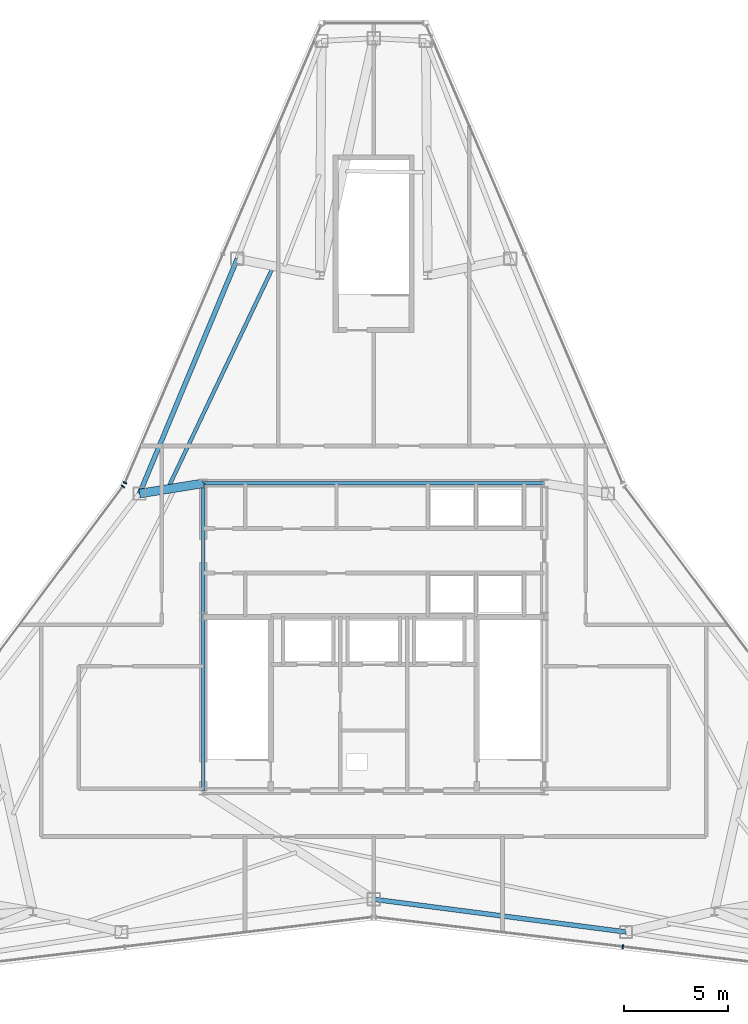
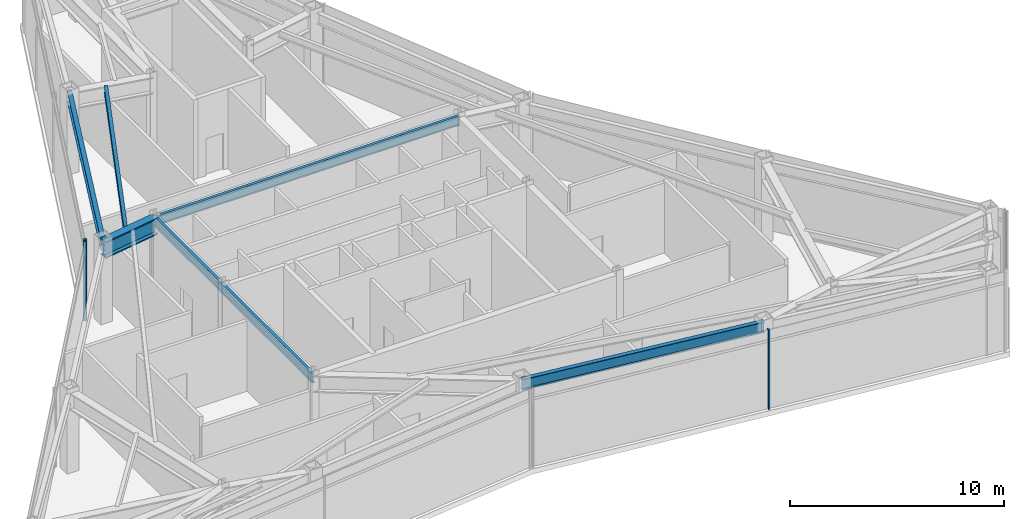
# One storey, part 5 of 11: 6 beams, 3 members, 3 elements without a shape of their own.
"""IFC4 building model written with IfcOpenShell, lengths in metres."""

from ifc_helpers import new_model, si_unit, direction, frame, origin, origin_2d, place, context, subcontext, project, spatial, rectangle, i_section, extrude, source, transform, mapped, material, layer, layer_set, material_profile, profile_set, type_object, type_shapes, element, aggregate, save


model = new_model("IFC4")

# Units and contexts
model_context = context("Model", 3, precision=1e-05, world=origin(), true_north=direction((0.0, 1.0)))
body_context = subcontext(model_context, "Body", "Model", "MODEL_VIEW")
ifc_project = project(units=[si_unit("LENGTHUNIT", "METRE"), si_unit("AREAUNIT", "SQUARE_METRE"), si_unit("VOLUMEUNIT", "CUBIC_METRE"), si_unit("PLANEANGLEUNIT", "RADIAN"), si_unit("MASSUNIT", "GRAM", prefix="KILO")], contexts=[model_context])

# Site, building, storey
site_placement = place(None, origin())
site = spatial("IfcSite", under=ifc_project, at=site_placement, CompositionType="ELEMENT")
building_placement = place(site_placement, origin())
building = spatial("IfcBuilding", under=site, at=building_placement, Name="Varakhsha Concourse Tower", CompositionType="ELEMENT")
storey_placement = place(building_placement, frame((0.0, 0.0, 290.0)))
storey = spatial("IfcBuildingStorey", under=building, at=storey_placement, Name="L82", CompositionType="ELEMENT", Elevation=290.0)

# Beams
ifc_material_1 = material(Name="Structural Steel ASTM A992 Grade 50", Category="steel")
ifc_material_profile_1 = material_profile(ifc_material_1, i_section(OverallWidth=0.177978515625, OverallDepth=0.406982421875, WebThickness=0.008056640625, FlangeThickness=0.012939453125, at=origin_2d()), Name="W16X40")
ifc_profile_set_1 = profile_set([ifc_material_profile_1], Name="Structural Steel ASTM A992 Grade 50")
beam_type_1 = type_object("IfcBeamType", Name="BM-JST-W16X40", PredefinedType="JOIST", material=ifc_profile_set_1)
beam_1_placement = place(storey_placement, frame((35.13232421875, 41.553466796875, 4.33642578125), z_axis=(-0.429292148755, -0.903165683038, 0.0), x_axis=(0.903165683038, -0.429292148755, 0.0)))
element("IfcBeam", 1, at=beam_1_placement, inside=storey, type_object=beam_type_1, Name="BM-TJST-L82-04", PredefinedType="JOIST", context=body_context, shape_type="SweptSolid", body=[
    extrude(i_section(OverallWidth=0.177978515625, OverallDepth=0.406982421875, WebThickness=0.008056640625, FlangeThickness=0.012939453125, at=origin_2d()), origin(), (0.0, 0.0, 1.0), 11.658935546875),
])
ifc_material_profile_2 = material_profile(ifc_material_1, i_section(OverallWidth=0.423095703125, OverallDepth=0.947998046875, WebThickness=0.0380859375, FlangeThickness=0.06396484375, at=origin_2d()), Name="W36X302")
ifc_profile_set_2 = profile_set([ifc_material_profile_2], Name="Structural Steel ASTM A992 Grade 50")
beam_type_2 = type_object("IfcBeamType", Name="BM-OUTR-W36X302", PredefinedType="USERDEFINED", material=ifc_profile_set_2)
beam_2_placement = place(storey_placement, frame((31.800048828125, 31.199951171875, 4.06591796875), z_axis=(-0.987389151681, -0.158311917245, 0.0), x_axis=(0.158311917245, -0.987389151681, 0.0)))
element("IfcBeam", 2, at=beam_2_placement, inside=storey, type_object=beam_type_2, Name="L82 Radial Floor Girder 05", ObjectType="GIRDER", PredefinedType="USERDEFINED", context=body_context, shape_type="SweptSolid", body=[
    extrude(i_section(OverallWidth=0.423095703125, OverallDepth=0.947998046875, WebThickness=0.0380859375, FlangeThickness=0.06396484375, at=origin_2d()), origin(), (0.0, 0.0, 1.0), 3.110595703125),
])
ifc_material_profile_3 = material_profile(ifc_material_1, i_section(OverallWidth=0.1669921875, OverallDepth=0.534912109375, WebThickness=0.010009765625, FlangeThickness=0.01708984375, at=origin_2d()), Name="W21X57")
ifc_profile_set_3 = profile_set([ifc_material_profile_3], Name="Structural Steel ASTM A992 Grade 50")
beam_type_3 = type_object("IfcBeamType", Name="BM-RAD-W21X57", PredefinedType="BEAM", material=ifc_profile_set_3)
beam_3_placement = place(storey_placement, frame((31.800048828125, 31.199951171875, 4.2724609375), z_axis=(1.0, 0.0, 0.0), x_axis=(0.0, 1.0, 0.0)))
element("IfcBeam", 3, at=beam_3_placement, inside=storey, type_object=beam_type_3, Name="BM-TCORE-L82-CN", PredefinedType="BEAM", context=body_context, shape_type="SweptSolid", body=[
    extrude(i_section(OverallWidth=0.1669921875, OverallDepth=0.534912109375, WebThickness=0.010009765625, FlangeThickness=0.01708984375, at=origin_2d()), origin(), (0.0, 0.0, 1.0), 16.39990234375),
])
beam_4_placement = place(storey_placement, frame((31.800048828125, 16.39990234375, 4.2724609375), z_axis=(0.0, 1.0, 0.0), x_axis=(-1.0, 0.0, 0.0)))
element("IfcBeam", 4, at=beam_4_placement, inside=storey, type_object=beam_type_3, Name="BM-TCORE-L82-CW", PredefinedType="BEAM", context=body_context, shape_type="SweptSolid", body=[
    extrude(i_section(OverallWidth=0.1669921875, OverallDepth=0.534912109375, WebThickness=0.010009765625, FlangeThickness=0.01708984375, at=origin_2d()), origin(), (0.0, 0.0, 1.0), 14.800048828125),
])
ifc_material_profile_4 = material_profile(ifc_material_1, i_section(OverallWidth=0.22900390625, OverallDepth=0.612060546875, WebThickness=0.011962890625, FlangeThickness=0.02001953125, at=origin_2d()), Name="W24X84")
ifc_profile_set_4 = profile_set([ifc_material_profile_4], Name="Structural Steel ASTM A992 Grade 50")
beam_type_4 = type_object("IfcBeamType", Name="BM-SPAN-W24X84", PredefinedType="SPANDREL", material=ifc_profile_set_4)
for number, where, z_axis, x_axis, name in (
    (5, (33.43505859375, 42.008544921875, 4.23388671875), (-0.38444403214, -0.923148301278, 0.0), (0.923148301278, -0.38444403214, 0.0), "BM-SPAN-L82-04"),
    (6, (40.0, 11.18505859375, 4.23388671875), (0.991692239346, -0.12863320886, 0.0), (0.12863320886, 0.991692239346, 0.0), "BM-SPAN-L82-11"),
):
    element("IfcBeam", number, at=place(storey_placement, frame(where, z_axis=z_axis, x_axis=x_axis)), inside=storey, type_object=beam_type_4, Name=name, PredefinedType="SPANDREL", context=body_context, shape_type="SweptSolid", body=[
        extrude(i_section(OverallWidth=0.22900390625, OverallDepth=0.612060546875, WebThickness=0.011962890625, FlangeThickness=0.02001953125, at=origin_2d()), origin(), (0.0, 0.0, 1.0), 12.241943359375),
    ])

# Curtain wall, member
ifc_material_2 = material(Name="Anodised Bronze Architectural Aluminium AA 6063-T6", Category="aluminium")
ifc_layer = layer(ifc_material_2, 0.260009765625, Name="CW-SYS-06")
ifc_layer_set = layer_set([ifc_layer], Name="Anodised Bronze Architectural Aluminium AA 6063-T6")
curtain_wall_type = type_object("IfcCurtainWallType", Name="CW-SYS-06", PredefinedType="NOTDEFINED", material=ifc_layer_set)
curtain_wall_1_placement = place(storey_placement, origin())
curtain_wall_1 = element("IfcCurtainWall", 7, at=curtain_wall_1_placement, inside=storey, type_object=curtain_wall_type, Name="L82 Crystal Curtain Wall F2", PredefinedType="NOTDEFINED")
ifc_material_profile_5 = material_profile(ifc_material_2, rectangle(XDim=0.06494140625, YDim=0.179931640625, at=origin_2d()), Name="CWM-180X65")
ifc_profile_set_5 = profile_set([ifc_material_profile_5], Name="Anodised Bronze Architectural Aluminium AA 6063-T6")
member_type = type_object("IfcMemberType", Name="CWM-180X65", PredefinedType="MULLION", material=ifc_profile_set_5)
shared_shape = source(origin(), body_context, "Body", "SweptSolid", [
    extrude(rectangle(XDim=0.06494140625, YDim=0.179931640625, at=origin_2d()), origin(), (0.0, 0.0, 1.0), 4.5400390625),
])
type_shapes(member_type, [shared_shape])
member_1_placement = place(storey_placement, frame((28.031005859375, 31.22412109375, 0.0), z_axis=(0.0, 0.0, 1.0), x_axis=(0.393839238731, 0.919179337255, 0.0)))
member_1 = element("IfcMember", 8, at=member_1_placement, type_object=member_type, Name="CW-L82-F2 Mullion 00", PredefinedType="MULLION", context=body_context, shape_type="MappedRepresentation", body=[
    mapped(shared_shape, transform((0.0, 0.0, 0.0), scale=1.0)),
])
aggregate(curtain_wall_1, [member_1])

curtain_wall_2_placement = place(storey_placement, origin())
curtain_wall_2 = element("IfcCurtainWall", 9, at=curtain_wall_2_placement, inside=storey, type_object=curtain_wall_type, Name="L82 Crystal Curtain Wall F3", PredefinedType="NOTDEFINED")
member_2_placement = place(storey_placement, frame((27.9326171875, 31.0537109375, 0.0), z_axis=(0.0, 0.0, 1.0), x_axis=(0.599111639907, 0.800665500024, 0.0)))
member_2 = element("IfcMember", 10, at=member_2_placement, type_object=member_type, Name="CW-L82-F3 Mullion 02", PredefinedType="MULLION", context=body_context, shape_type="MappedRepresentation", body=[
    mapped(shared_shape, transform((0.0, 0.0, 0.0), scale=1.0)),
])
aggregate(curtain_wall_2, [member_2])

curtain_wall_3_placement = place(storey_placement, origin())
curtain_wall_3 = element("IfcCurtainWall", 11, at=curtain_wall_3_placement, inside=storey, type_object=curtain_wall_type, Name="L82 Crystal Curtain Wall F6", PredefinedType="NOTDEFINED")
member_3_placement = place(storey_placement, frame((51.9853515625, 8.903564453125, 0.0), z_axis=(0.0, 0.0, 1.0), x_axis=(-0.992952482908, 0.118513149851, 0.0)))
member_3 = element("IfcMember", 12, at=member_3_placement, type_object=member_type, Name="CW-L82-F6 Mullion 01", PredefinedType="MULLION", context=body_context, shape_type="MappedRepresentation", body=[
    mapped(shared_shape, transform((0.0, 0.0, 0.0), scale=1.0)),
])
aggregate(curtain_wall_3, [member_3])

save(model, "model.ifc")
